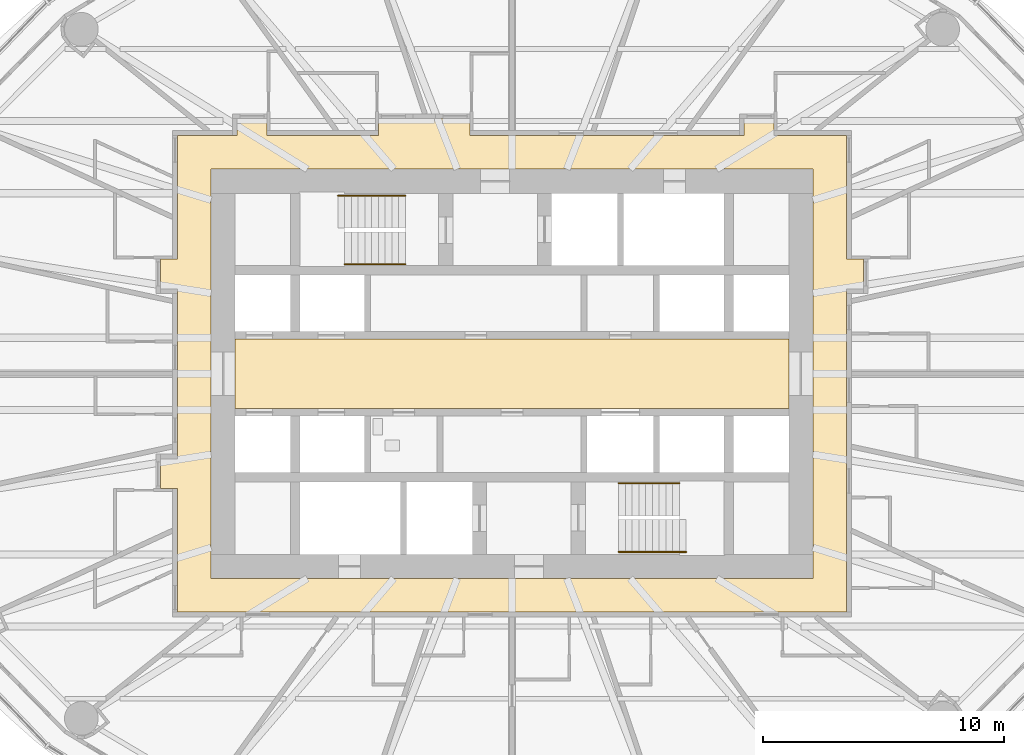
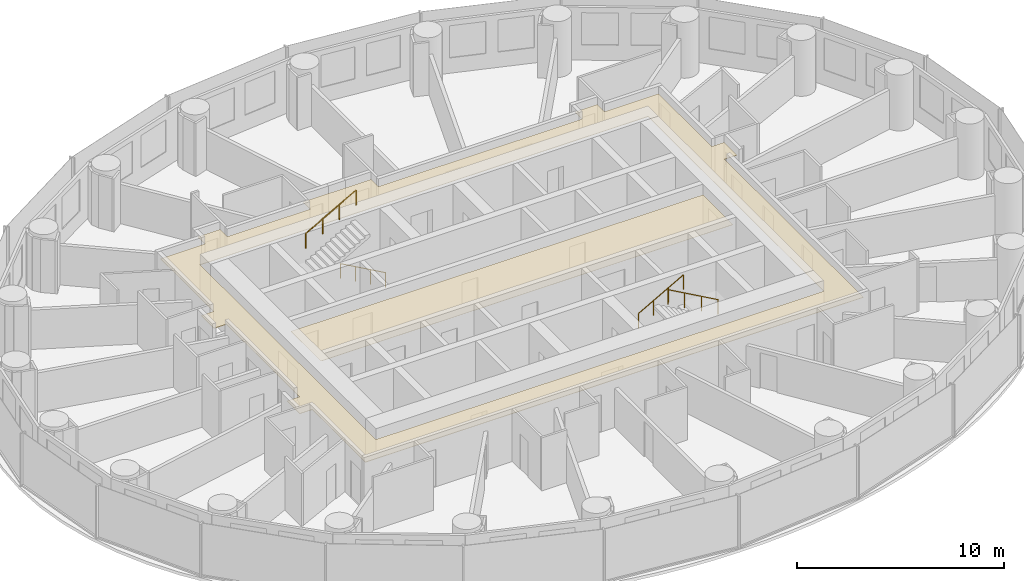
# One storey, part 15 of 16: 4 railings, 2 coverings.
"""IFC4 building model written with IfcOpenShell, lengths in metres."""

from ifc_helpers import new_model, si_unit, direction, frame, origin, origin_2d, place, context, subcontext, project, spatial, polyline, circle, outline, extrude, material, layer, layer_set, type_object, element, save


model = new_model("IFC4")

# Units and contexts
model_context = context("Model", 3, precision=1e-05, world=origin(), true_north=direction((0.0, 1.0)))
body_context = subcontext(model_context, "Body", "Model", "MODEL_VIEW")
ifc_project = project(units=[si_unit("LENGTHUNIT", "METRE"), si_unit("AREAUNIT", "SQUARE_METRE"), si_unit("VOLUMEUNIT", "CUBIC_METRE"), si_unit("PLANEANGLEUNIT", "RADIAN"), si_unit("MASSUNIT", "GRAM", prefix="KILO")], contexts=[model_context])

# Site, building, storey
site_placement = place(None, origin())
site = spatial("IfcSite", under=ifc_project, at=site_placement, CompositionType="ELEMENT")
building_placement = place(site_placement, origin())
building = spatial("IfcBuilding", under=site, at=building_placement, Name="Hankou Lantern Tower", CompositionType="ELEMENT")
storey_placement = place(building_placement, frame((0.0, 0.0, 73.800048828125)))
storey = spatial("IfcBuildingStorey", under=building, at=storey_placement, Name="L18", CompositionType="ELEMENT", Elevation=73.800048828125)

# Coverings
ifc_material_1 = material(Name="Black painted aluminium linear ceiling panels", Category="aluminium")
ifc_layer_1 = layer(ifc_material_1, 0.02490234375)
ifc_layer_set_1 = layer_set([ifc_layer_1], Name="Black painted aluminium linear ceiling panels")
covering_type_1 = type_object("IfcCoveringType", Name="CL1 CORRIDOR CEILING 25", PredefinedType="CEILING", material=ifc_layer_set_1)
covering_1_placement = place(storey_placement, frame((0.0, 0.0, 2.64501953125)))
element("IfcCovering", 1, at=covering_1_placement, inside=storey, type_object=covering_type_1, Name="Corridor ceiling L18", PredefinedType="CEILING", context=body_context, shape_type="SweptSolid", body=[
    extrude(outline(polyline([(-14.60009765625, -4.7724609375), (-13.89990234375, -4.7724609375), (-13.89990234375, -9.89990234375), (13.89990234375, -9.89990234375), (13.89990234375, 3.532470703125), (14.60009765625, 3.532470703125), (14.60009765625, 4.7724609375), (13.89990234375, 4.7724609375), (13.89990234375, 9.89990234375), (10.885009765625, 9.89990234375), (10.885009765625, 10.60009765625), (9.64501953125, 10.60009765625), (9.64501953125, 9.89990234375), (-1.739990234375, 9.89990234375), (-1.739990234375, 10.60009765625), (-5.549072265625, 10.60009765625), (-5.549072265625, 9.89990234375), (-10.178955078125, 9.89990234375), (-10.178955078125, 10.60009765625), (-11.4189453125, 10.60009765625), (-11.4189453125, 9.89990234375), (-13.89990234375, 9.89990234375), (-13.89990234375, 4.7724609375), (-14.60009765625, 4.7724609375), (-14.60009765625, 3.532470703125), (-13.89990234375, 3.532470703125), (-13.89990234375, -3.532470703125), (-14.60009765625, -3.532470703125), (-14.60009765625, -4.7724609375)]), holes=[polyline([(-12.5, 8.5), (12.5, 8.5), (12.5, -8.5), (-12.5, -8.5), (-12.5, 8.5)])]), origin(), (0.0, 0.0, 1.0), 0.02490234375),
])
ifc_material_2 = material(Name="Perforated black aluminium acoustic tray ceiling", Category="aluminium")
ifc_layer_2 = layer(ifc_material_2, 0.014892578125)
ifc_layer_set_2 = layer_set([ifc_layer_2], Name="Perforated black aluminium acoustic tray ceiling")
covering_type_2 = type_object("IfcCoveringType", Name="CL2 LIFT LOBBY CEILING 15", PredefinedType="CEILING", material=ifc_layer_set_2)
covering_2_placement = place(storey_placement, frame((0.0, 0.0, 2.655029296875)))
element("IfcCovering", 2, at=covering_2_placement, inside=storey, type_object=covering_type_2, Name="Lift lobby ceiling L18", PredefinedType="CEILING", context=body_context, shape_type="SweptSolid", body=[
    extrude(outline(polyline([(-11.5, -1.449951171875), (11.5, -1.449951171875), (11.5, 1.449951171875), (-11.5, 1.449951171875), (-11.5, -1.449951171875)])), origin(), (0.0, 0.0, 1.0), 0.014892578125),
])

# Railings
ifc_material_3 = material(Name="Steel handrail", Category="steel")
railing_type = type_object("IfcRailingType", Name="HR1 STAIR HANDRAIL", PredefinedType="HANDRAIL", material=ifc_material_3)
railing_1_placement = place(storey_placement, frame((-4.429931640625, 4.550048828125, 0.89990234375)))
element("IfcRailing", 3, at=railing_1_placement, inside=storey, type_object=railing_type, Name="Handrail stair STA L18 flight 1", PredefinedType="HANDRAIL", context=body_context, shape_type="SweptSolid", body=[
    extrude(circle(Radius=0.02392578125, at=origin_2d()), frame((0.0, 0.0, 0.8759765625), z_axis=(-0.872048945198, 0.0, 0.489418672692), x_axis=(0.0, -1.0, 0.0)), (0.0, 0.0, 1.0), 2.8896484375),
    extrude(circle(Radius=0.02099609375, at=origin_2d()), origin(), (0.0, 0.0, 1.0), 0.851806640625),
    extrude(circle(Radius=0.02099609375, at=origin_2d()), frame((-0.840087890625, 0.0, 0.471435546875)), (0.0, 0.0, 1.0), 0.851806640625),
    extrude(circle(Radius=0.02099609375, at=origin_2d()), frame((-1.679931640625, 0.0, 0.94287109375)), (0.0, 0.0, 1.0), 0.851806640625),
    extrude(circle(Radius=0.02099609375, at=origin_2d()), frame((-2.52001953125, 0.0, 1.414306640625)), (0.0, 0.0, 1.0), 0.851806640625),
])
railing_2_placement = place(storey_placement, frame((-7.22998046875, 7.39990234375, 2.471435546875)))
element("IfcRailing", 4, at=railing_2_placement, inside=storey, type_object=railing_type, Name="Handrail stair STA L18 flight 2", PredefinedType="HANDRAIL", context=body_context, shape_type="SweptSolid", body=[
    extrude(circle(Radius=0.02392578125, at=origin_2d()), frame((0.0, 0.0, 0.8759765625), z_axis=(0.872072602893, 0.0, 0.489376516891), x_axis=(0.0, 1.0, 0.0)), (0.0, 0.0, 1.0), 3.210693359375),
    extrude(circle(Radius=0.02099609375, at=origin_2d()), origin(), (0.0, 0.0, 1.0), 0.851806640625),
    extrude(circle(Radius=0.02099609375, at=origin_2d()), frame((0.933349609375, 0.0, 0.523681640625)), (0.0, 0.0, 1.0), 0.851806640625),
    extrude(circle(Radius=0.02099609375, at=origin_2d()), frame((1.86669921875, 0.0, 1.047607421875)), (0.0, 0.0, 1.0), 0.851806640625),
    extrude(circle(Radius=0.02099609375, at=origin_2d()), frame((2.800048828125, 0.0, 1.5712890625)), (0.0, 0.0, 1.0), 0.851806640625),
])
railing_3_placement = place(storey_placement, frame((4.429931640625, -4.550048828125, 0.89990234375)))
element("IfcRailing", 5, at=railing_3_placement, inside=storey, type_object=railing_type, Name="Handrail stair STB L18 flight 1", PredefinedType="HANDRAIL", context=body_context, shape_type="SweptSolid", body=[
    extrude(circle(Radius=0.02392578125, at=origin_2d()), frame((0.0, 0.0, 0.8759765625), z_axis=(0.872048945198, 0.0, 0.489418672692), x_axis=(0.0, 1.0, 0.0)), (0.0, 0.0, 1.0), 2.8896484375),
    extrude(circle(Radius=0.02099609375, at=origin_2d()), origin(), (0.0, 0.0, 1.0), 0.851806640625),
    extrude(circle(Radius=0.02099609375, at=origin_2d()), frame((0.840087890625, 0.0, 0.471435546875)), (0.0, 0.0, 1.0), 0.851806640625),
    extrude(circle(Radius=0.02099609375, at=origin_2d()), frame((1.679931640625, 0.0, 0.94287109375)), (0.0, 0.0, 1.0), 0.851806640625),
    extrude(circle(Radius=0.02099609375, at=origin_2d()), frame((2.52001953125, 0.0, 1.414306640625)), (0.0, 0.0, 1.0), 0.851806640625),
])
railing_4_placement = place(storey_placement, frame((7.22998046875, -7.39990234375, 2.471435546875)))
element("IfcRailing", 6, at=railing_4_placement, inside=storey, type_object=railing_type, Name="Handrail stair STB L18 flight 2", PredefinedType="HANDRAIL", context=body_context, shape_type="SweptSolid", body=[
    extrude(circle(Radius=0.02392578125, at=origin_2d()), frame((0.0, 0.0, 0.8759765625), z_axis=(-0.872072602893, 0.0, 0.489376516891), x_axis=(0.0, -1.0, 0.0)), (0.0, 0.0, 1.0), 3.210693359375),
    extrude(circle(Radius=0.02099609375, at=origin_2d()), origin(), (0.0, 0.0, 1.0), 0.851806640625),
    extrude(circle(Radius=0.02099609375, at=origin_2d()), frame((-0.933349609375, 0.0, 0.523681640625)), (0.0, 0.0, 1.0), 0.851806640625),
    extrude(circle(Radius=0.02099609375, at=origin_2d()), frame((-1.86669921875, 0.0, 1.047607421875)), (0.0, 0.0, 1.0), 0.851806640625),
    extrude(circle(Radius=0.02099609375, at=origin_2d()), frame((-2.800048828125, 0.0, 1.5712890625)), (0.0, 0.0, 1.0), 0.851806640625),
])

save(model, "model.ifc")
